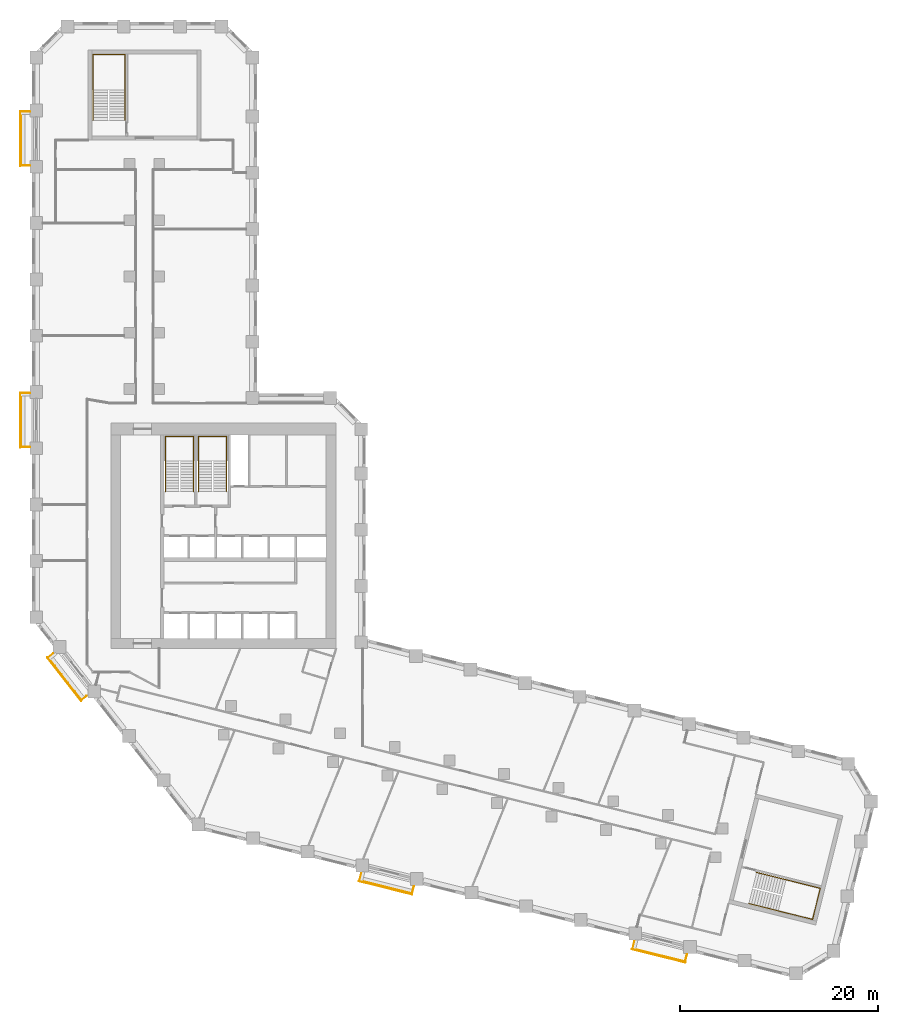
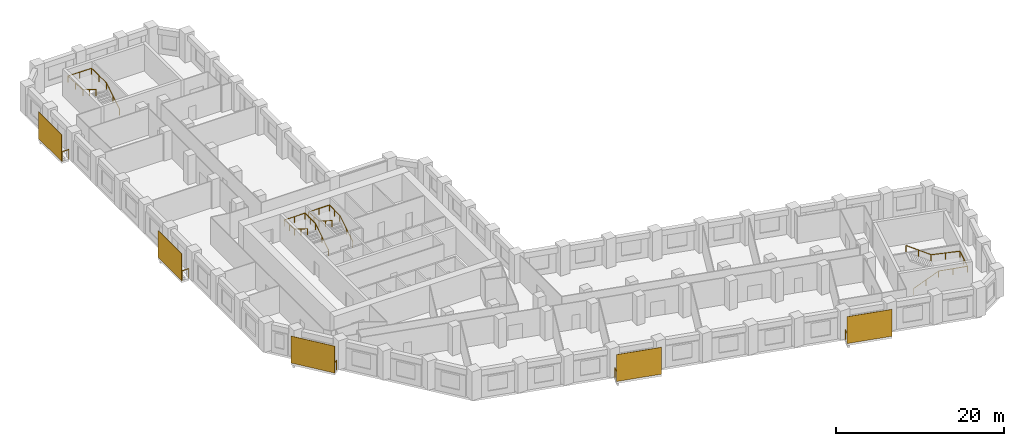
# One storey, part 10 of 10: 9 railings, 5 shading devices.
"""IFC4 building model written with IfcOpenShell, lengths in metres."""

import ifcopenshell
import ifcopenshell.guid

model = None  # the IFC model being written
_history = None  # IfcOwnerHistory: only IFC2X3 demands one
_inside = {}  # id of a spatial element -> (the spatial element, [elements in it])
_under = {}  # id of a project, library or spatial element -> (it, [spatial elements below it])
_declared = {}  # id of a project -> (the project, [libraries it declares])
_typed = {}  # id of a type object -> (the type object, [elements of that type])
_made_of = {}  # id of a material, layer set ... -> (it, [elements and type objects made of it])


def new_model(schema):
    """Start an empty IFC model of exactly this schema.

    Asked for "IFC4X3", IfcOpenShell would pick the latest addendum, in which some entities
    have other attributes; the version numbers below select the first issue.
    IFC2X3 requires an IfcOwnerHistory on every rooted entity: one is made here for all.
    """
    global model, _history
    if schema == "IFC4X3":
        model = ifcopenshell.file(schema_version=(4, 3, 0, 0))
    else:
        model = ifcopenshell.file(schema=schema)
    _inside.clear()
    _under.clear()
    _declared.clear()
    _typed.clear()
    _made_of.clear()
    _history = None
    if model.schema == "IFC2X3":
        org = make("IfcOrganization", Name="unknown")
        user = make(
            "IfcPersonAndOrganization",
            ThePerson=make("IfcPerson", FamilyName="unknown"),
            TheOrganization=org,
        )
        app = make(
            "IfcApplication",
            ApplicationDeveloper=org,
            Version="unknown",
            ApplicationFullName="unknown",
            ApplicationIdentifier="unknown",
        )
        _history = make(
            "IfcOwnerHistory",
            OwningUser=user,
            OwningApplication=app,
            ChangeAction="ADDED",
            CreationDate=0,
        )
    return model


def make(cls, **values):
    """One entity of the class cls with the attributes given. An attribute that is None is left unset."""
    return model.create_entity(
        cls, **{name: value for name, value in values.items() if value is not None}
    )


def rooted(cls, **values):
    """An entity with a GlobalId (a new one), such as an element, a storey or a relation."""
    return make(cls, GlobalId=ifcopenshell.guid.new(), OwnerHistory=_history, **values)


def si_unit(unit_type, name, prefix=None):
    """IfcSIUnit, for example si_unit("LENGTHUNIT", "METRE", prefix="MILLI")."""
    return make("IfcSIUnit", UnitType=unit_type, Prefix=prefix, Name=name)


def assignment(units):
    """IfcUnitAssignment: the units of a project."""
    return None if units is None else make("IfcUnitAssignment", Units=units)


def point(xyz):
    """IfcCartesianPoint."""
    return None if xyz is None else make("IfcCartesianPoint", Coordinates=xyz)


def direction(xyz):
    """IfcDirection."""
    return None if xyz is None else make("IfcDirection", DirectionRatios=xyz)


def frame(location, z_axis=None, x_axis=None):
    """IfcAxis2Placement3D, a coordinate frame: its origin and axes. An axis left out is left unset."""
    return make(
        "IfcAxis2Placement3D",
        Location=point(location),
        Axis=direction(z_axis),
        RefDirection=direction(x_axis),
    )


def frame_2d(location, x_axis=None):
    """IfcAxis2Placement2D, a coordinate frame in the plane: its origin and x axis."""
    return make(
        "IfcAxis2Placement2D", Location=point(location), RefDirection=direction(x_axis)
    )


def origin():
    """The frame at (0, 0, 0) with its axes left unset."""
    return frame((0.0, 0.0, 0.0))


def origin_2d():
    """The frame at (0, 0) in the plane with its x axis left unset."""
    return frame_2d((0.0, 0.0))


def place(relative_to, where):
    """IfcLocalPlacement: puts the frame where relative to a parent placement (None: the world)."""
    return make(
        "IfcLocalPlacement", PlacementRelTo=relative_to, RelativePlacement=where
    )


def context(
    kind, dimensions, precision=None, world=None, true_north=None, identifier=None
):
    """IfcGeometricRepresentationContext, for example the 3D "Model" context."""
    return make(
        "IfcGeometricRepresentationContext",
        ContextIdentifier=identifier,
        ContextType=kind,
        CoordinateSpaceDimension=dimensions,
        Precision=precision,
        WorldCoordinateSystem=world,
        TrueNorth=true_north,
    )


def subcontext(parent, identifier, kind, view, scale=None):
    """IfcGeometricRepresentationSubContext, for example "Body" below "Model"."""
    return make(
        "IfcGeometricRepresentationSubContext",
        ContextIdentifier=identifier,
        ContextType=kind,
        ParentContext=parent,
        TargetScale=scale,
        TargetView=view,
    )


def project(units=None, contexts=None):
    """IfcProject with its units and contexts."""
    return rooted(
        "IfcProject",
        Name="project",
        RepresentationContexts=contexts,
        UnitsInContext=assignment(units),
    )


def spatial(cls, under=None, at=None, **own):
    """A site, building, storey or space (cls), placed at a placement, below another one or the project."""
    s = rooted(cls, ObjectPlacement=at, **own)
    if under is not None:
        _under.setdefault(under.id(), (under, []))[1].append(s)
    return s


def profile(cls, at=None, kind="AREA", **sizes):
    """A parametric profile (cls). Its sizes go by their IFC names, for example OverallWidth=200.0."""
    return make(cls, ProfileType=kind, Position=at, **sizes)


def rectangle(**sizes):
    """IfcRectangleProfileDef."""
    return profile("IfcRectangleProfileDef", **sizes)


def circle(**sizes):
    """IfcCircleProfileDef."""
    return profile("IfcCircleProfileDef", **sizes)


def extrude(swept, where, along, depth):
    """IfcExtrudedAreaSolid: the profile swept, set in the frame where, extruded along a direction by depth."""
    return make(
        "IfcExtrudedAreaSolid",
        SweptArea=swept,
        Position=where,
        ExtrudedDirection=direction(along),
        Depth=depth,
    )


def shape(context_of_items, identifier, shape_type, items):
    """IfcShapeRepresentation: the items that make up one representation, for example the "Body"."""
    return make(
        "IfcShapeRepresentation",
        ContextOfItems=context_of_items,
        RepresentationIdentifier=identifier,
        RepresentationType=shape_type,
        Items=items,
    )


def material(Name=None, Category=None):
    """IfcMaterial."""
    return make("IfcMaterial", Name=Name, Category=Category)


def layer(
    of_material, thickness, ventilated=None, Name=None, Category=None, Priority=None
):
    """IfcMaterialLayer: one layer of a wall or slab, of a material (None: an air gap)."""
    return make(
        "IfcMaterialLayer",
        Material=of_material,
        LayerThickness=thickness,
        IsVentilated=ventilated,
        Name=Name,
        Category=Category,
        Priority=Priority,
    )


def layer_set(layers, Name=None):
    """IfcMaterialLayerSet."""
    return make("IfcMaterialLayerSet", MaterialLayers=layers, LayerSetName=Name)


def made_of(thing, what):
    """Note that an element or type object is made of a material, layer set ...; save() writes the relation."""
    if what is not None:
        _made_of.setdefault(what.id(), (what, []))[1].append(thing)
    return thing


def type_object(cls, material=None, **own):
    """A type object (cls), such as IfcWallType, which elements share."""
    return made_of(rooted(cls, **own), material)


def element(
    cls,
    number,
    at=None,
    inside=None,
    cuts=None,
    type_object=None,
    material=None,
    context=None,
    identifier="Body",
    shape_type=None,
    held_by="IfcProductDefinitionShape",
    body=None,
    shapes=None,
    **own,
):
    """One element of the class cls, such as IfcWall. Its Tag is "e" and its number.

    at: its placement. inside: the storey or other place that contains it. cuts: it is an
    opening in that element (IfcRelVoidsElement). A single representation is given by context,
    identifier, shape_type and body (its items); several are given by shapes. held_by: the class
    of the entity that holds the representations. save() writes the other relations.
    """
    e = rooted(cls, Tag="e%d" % number, ObjectPlacement=at, **own)
    if body is not None:
        shapes = [shape(context, identifier, shape_type, body)]
    if shapes is not None:
        e.Representation = make(held_by, Representations=shapes)
    if inside is not None:
        _inside.setdefault(inside.id(), (inside, []))[1].append(e)
    if cuts is not None:
        rooted(
            "IfcRelVoidsElement", RelatingBuildingElement=cuts, RelatedOpeningElement=e
        )
    if type_object is not None:
        _typed.setdefault(type_object.id(), (type_object, []))[1].append(e)
    return made_of(e, material)


def aggregate(whole, parts):
    """IfcRelAggregates: a whole, such as a stair, and the parts it consists of."""
    return rooted("IfcRelAggregates", RelatingObject=whole, RelatedObjects=parts)


def save(model, path):
    """Write the relations noted so far, then the file.

    IfcRelAggregates (storeys below a building ...), IfcRelContainedInSpatialStructure (elements
    in a storey), IfcRelDefinesByType, IfcRelAssociatesMaterial and IfcRelDeclares: one each for
    every whole, place, type object, material and project.
    """
    for whole, parts in _under.values():
        aggregate(whole, parts)
    for where, things in _inside.values():
        rooted(
            "IfcRelContainedInSpatialStructure",
            RelatedElements=things,
            RelatingStructure=where,
        )
    for kind, things in _typed.values():
        rooted("IfcRelDefinesByType", RelatedObjects=things, RelatingType=kind)
    for what, things in _made_of.values():
        rooted("IfcRelAssociatesMaterial", RelatedObjects=things, RelatingMaterial=what)
    for by, libraries in _declared.values():
        rooted("IfcRelDeclares", RelatingContext=by, RelatedDefinitions=libraries)
    model.write(path)


model = new_model("IFC4")

# Units and contexts
model_context = context("Model", 3, precision=1e-05, world=origin(), true_north=direction((0.0, 1.0)))
body_context = subcontext(model_context, "Body", "Model", "MODEL_VIEW")
ifc_project = project(units=[si_unit("LENGTHUNIT", "METRE"), si_unit("AREAUNIT", "SQUARE_METRE"), si_unit("VOLUMEUNIT", "CUBIC_METRE"), si_unit("PLANEANGLEUNIT", "RADIAN"), si_unit("MASSUNIT", "GRAM", prefix="KILO")], contexts=[model_context])

# Site, building, storey
site_placement = place(None, origin())
site = spatial("IfcSite", under=ifc_project, at=site_placement, CompositionType="ELEMENT")
building_placement = place(site_placement, origin())
building = spatial("IfcBuilding", under=site, at=building_placement, Name="Meshkara Civic Tower", CompositionType="ELEMENT")
storey_placement = place(building_placement, frame((0.0, 0.0, 126.60009765625)))
storey = spatial("IfcBuildingStorey", under=building, at=storey_placement, Name="L28", CompositionType="ELEMENT", Elevation=126.60009765625)

# Railings
ifc_material_1 = material(Name="Steel S355", Category="steel")
railing_type_1 = type_object("IfcRailingType", Name="BALUSTRADE GUARD 1400", PredefinedType="BALUSTRADE", material=ifc_material_1)
for number, where, name in (
    (1, (-0.199951171875, 68.43505859375, 0.0), "Balcony guard"),
    (2, (-0.199951171875, 39.93505859375, 0.0), "Balcony guard"),
):
    element("IfcRailing", number, at=place(storey_placement, frame(where)), inside=storey, type_object=railing_type_1, Name=name, PredefinedType="BALUSTRADE", context=body_context, shape_type="SweptSolid", body=[
        extrude(circle(Radius=0.02392578125, at=origin_2d()), frame((0.0, 0.0, 1.3759765625), z_axis=(-1.0, 0.0, 0.0), x_axis=(0.0, -1.0, 0.0)), (0.0, 0.0, 1.0), 0.91015625),
        extrude(circle(Radius=0.02392578125, at=origin_2d()), frame((-0.91015625, 0.0, 1.3759765625), z_axis=(0.0, -1.0, 0.0), x_axis=(1.0, 0.0, 0.0)), (0.0, 0.0, 1.0), 5.4599609375),
        extrude(circle(Radius=0.02392578125, at=origin_2d()), frame((-0.91015625, -5.4599609375, 1.3759765625), z_axis=(1.0, 0.0, 0.0), x_axis=(0.0, 1.0, 0.0)), (0.0, 0.0, 1.0), 0.91015625),
        extrude(circle(Radius=0.02099609375, at=origin_2d()), origin(), (0.0, 0.0, 1.0), 1.351806640625),
        extrude(circle(Radius=0.02099609375, at=origin_2d()), frame((-0.91015625, 0.0, 0.0)), (0.0, 0.0, 1.0), 1.351806640625),
        extrude(circle(Radius=0.02099609375, at=origin_2d()), frame((-0.91015625, -1.092041015625, 0.0)), (0.0, 0.0, 1.0), 1.351806640625),
        extrude(circle(Radius=0.02099609375, at=origin_2d()), frame((-0.91015625, -2.18408203125, 0.0)), (0.0, 0.0, 1.0), 1.351806640625),
        extrude(circle(Radius=0.02099609375, at=origin_2d()), frame((-0.91015625, -3.27587890625, 0.0)), (0.0, 0.0, 1.0), 1.351806640625),
        extrude(circle(Radius=0.02099609375, at=origin_2d()), frame((-0.91015625, -4.367919921875, 0.0)), (0.0, 0.0, 1.0), 1.351806640625),
        extrude(circle(Radius=0.02099609375, at=origin_2d()), frame((-0.91015625, -5.4599609375, 0.0)), (0.0, 0.0, 1.0), 1.351806640625),
        extrude(circle(Radius=0.02099609375, at=origin_2d()), frame((0.0, -5.4599609375, 0.0)), (0.0, 0.0, 1.0), 1.351806640625),
    ])
railing_1_placement = place(storey_placement, frame((2.1689453125, 13.572998046875, 0.0)))
element("IfcRailing", 3, at=railing_1_placement, inside=storey, type_object=railing_type_1, Name="Balcony guard", PredefinedType="BALUSTRADE", context=body_context, shape_type="SweptSolid", body=[
    extrude(circle(Radius=0.02392578125, at=origin_2d()), frame((0.0, 0.0, 1.3759765625), z_axis=(-0.787664106231, -0.616104906453, 0.0), x_axis=(0.616104906453, -0.787664106231, 0.0)), (0.0, 0.0, 1.0), 0.6474609375),
    extrude(circle(Radius=0.02392578125, at=origin_2d()), frame((-0.510009765625, -0.39892578125, 1.3759765625), z_axis=(0.615573755741, -0.788079279795, 0.0), x_axis=(0.788079279795, 0.615573755741, 0.0)), (0.0, 0.0, 1.0), 5.460205078125),
    extrude(circle(Radius=0.02392578125, at=origin_2d()), frame((2.85107421875, -4.701904296875, 1.3759765625), z_axis=(0.788235582762, 0.615373598774, 0.0), x_axis=(-0.615373598774, 0.788235582762, 0.0)), (0.0, 0.0, 1.0), 0.648193359375),
    extrude(circle(Radius=0.02099609375, at=origin_2d()), origin(), (0.0, 0.0, 1.0), 1.351806640625),
    extrude(circle(Radius=0.02099609375, at=origin_2d()), frame((-0.510009765625, -0.39892578125, 0.0)), (0.0, 0.0, 1.0), 1.351806640625),
    extrude(circle(Radius=0.02099609375, at=origin_2d()), frame((0.162109375, -1.259521484375, 0.0)), (0.0, 0.0, 1.0), 1.351806640625),
    extrude(circle(Radius=0.02099609375, at=origin_2d()), frame((0.83447265625, -2.1201171875, 0.0)), (0.0, 0.0, 1.0), 1.351806640625),
    extrude(circle(Radius=0.02099609375, at=origin_2d()), frame((1.506591796875, -2.980712890625, 0.0)), (0.0, 0.0, 1.0), 1.351806640625),
    extrude(circle(Radius=0.02099609375, at=origin_2d()), frame((2.178955078125, -3.84130859375, 0.0)), (0.0, 0.0, 1.0), 1.351806640625),
    extrude(circle(Radius=0.02099609375, at=origin_2d()), frame((2.85107421875, -4.701904296875, 0.0)), (0.0, 0.0, 1.0), 1.351806640625),
    extrude(circle(Radius=0.02099609375, at=origin_2d()), frame((3.362060546875, -4.302978515625, 0.0)), (0.0, 0.0, 1.0), 1.351806640625),
])
railing_2_placement = place(storey_placement, frame((33.368896484375, -8.66796875, 0.0)))
element("IfcRailing", 4, at=railing_2_placement, inside=storey, type_object=railing_type_1, Name="Balcony guard", PredefinedType="BALUSTRADE", context=body_context, shape_type="SweptSolid", body=[
    extrude(circle(Radius=0.02392578125, at=origin_2d()), frame((0.0, 0.0, 1.3759765625), z_axis=(-0.242237978263, -0.970216863329, 0.0), x_axis=(0.970216863329, -0.242237978263, 0.0)), (0.0, 0.0, 1.0), 0.77197265625),
    extrude(circle(Radius=0.02392578125, at=origin_2d()), frame((-0.18701171875, -0.7490234375, 1.3759765625), z_axis=(0.970292231073, -0.24193591366, 0.0), x_axis=(0.24193591366, 0.970292231073, 0.0)), (0.0, 0.0, 1.0), 5.460205078125),
    extrude(circle(Radius=0.02392578125, at=origin_2d()), frame((5.111083984375, -2.070068359375, 1.3759765625), z_axis=(0.242237978263, 0.970216863329, 0.0), x_axis=(-0.970216863329, 0.242237978263, 0.0)), (0.0, 0.0, 1.0), 0.77197265625),
    extrude(circle(Radius=0.02099609375, at=origin_2d()), origin(), (0.0, 0.0, 1.0), 1.351806640625),
    extrude(circle(Radius=0.02099609375, at=origin_2d()), frame((-0.18701171875, -0.7490234375, 0.0)), (0.0, 0.0, 1.0), 1.351806640625),
    extrude(circle(Radius=0.02099609375, at=origin_2d()), frame((0.87255859375, -1.01318359375, 0.0)), (0.0, 0.0, 1.0), 1.351806640625),
    extrude(circle(Radius=0.02099609375, at=origin_2d()), frame((1.93212890625, -1.27734375, 0.0)), (0.0, 0.0, 1.0), 1.351806640625),
    extrude(circle(Radius=0.02099609375, at=origin_2d()), frame((2.991943359375, -1.541748046875, 0.0)), (0.0, 0.0, 1.0), 1.351806640625),
    extrude(circle(Radius=0.02099609375, at=origin_2d()), frame((4.051513671875, -1.805908203125, 0.0)), (0.0, 0.0, 1.0), 1.351806640625),
    extrude(circle(Radius=0.02099609375, at=origin_2d()), frame((5.111083984375, -2.070068359375, 0.0)), (0.0, 0.0, 1.0), 1.351806640625),
    extrude(circle(Radius=0.02099609375, at=origin_2d()), frame((5.298095703125, -1.321044921875, 0.0)), (0.0, 0.0, 1.0), 1.351806640625),
])
railing_3_placement = place(storey_placement, frame((61.02294921875, -15.56298828125, 0.0)))
element("IfcRailing", 5, at=railing_3_placement, inside=storey, type_object=railing_type_1, Name="Balcony guard", PredefinedType="BALUSTRADE", context=body_context, shape_type="SweptSolid", body=[
    extrude(circle(Radius=0.02392578125, at=origin_2d()), frame((0.0, 0.0, 1.3759765625), z_axis=(-0.242237978263, -0.970216863329, 0.0), x_axis=(0.970216863329, -0.242237978263, 0.0)), (0.0, 0.0, 1.0), 0.77197265625),
    extrude(circle(Radius=0.02392578125, at=origin_2d()), frame((-0.18701171875, -0.7490234375, 1.3759765625), z_axis=(0.970323745377, -0.241809489388, 0.0), x_axis=(0.241809489388, 0.970323745377, 0.0)), (0.0, 0.0, 1.0), 5.459228515625),
    extrude(circle(Radius=0.02392578125, at=origin_2d()), frame((5.110107421875, -2.069091796875, 1.3759765625), z_axis=(0.242237978263, 0.970216863329, 0.0), x_axis=(-0.970216863329, 0.242237978263, 0.0)), (0.0, 0.0, 1.0), 0.77197265625),
    extrude(circle(Radius=0.02099609375, at=origin_2d()), origin(), (0.0, 0.0, 1.0), 1.351806640625),
    extrude(circle(Radius=0.02099609375, at=origin_2d()), frame((-0.18701171875, -0.7490234375, 0.0)), (0.0, 0.0, 1.0), 1.351806640625),
    extrude(circle(Radius=0.02099609375, at=origin_2d()), frame((0.872314453125, -1.012939453125, 0.0)), (0.0, 0.0, 1.0), 1.351806640625),
    extrude(circle(Radius=0.02099609375, at=origin_2d()), frame((1.931884765625, -1.277099609375, 0.0)), (0.0, 0.0, 1.0), 1.351806640625),
    extrude(circle(Radius=0.02099609375, at=origin_2d()), frame((2.9912109375, -1.541015625, 0.0)), (0.0, 0.0, 1.0), 1.351806640625),
    extrude(circle(Radius=0.02099609375, at=origin_2d()), frame((4.05078125, -1.80517578125, 0.0)), (0.0, 0.0, 1.0), 1.351806640625),
    extrude(circle(Radius=0.02099609375, at=origin_2d()), frame((5.110107421875, -2.069091796875, 0.0)), (0.0, 0.0, 1.0), 1.351806640625),
    extrude(circle(Radius=0.02099609375, at=origin_2d()), frame((5.297119140625, -1.320068359375, 0.0)), (0.0, 0.0, 1.0), 1.351806640625),
])

# Shading devices
ifc_material_2 = material(Name="Perforated bronze anodised aluminium sheet", Category="aluminium")
ifc_layer = layer(ifc_material_2, 0.0400390625)
ifc_layer_set = layer_set([ifc_layer], Name="PERFORATED BRONZE SCREEN")
shading_device_type = type_object("IfcShadingDeviceType", Name="PERFORATED BRONZE SCREEN", PredefinedType="USERDEFINED", material=ifc_layer_set)
for number, where, z_axis, x_axis, name in (
    (6, (-1.179931640625, 65.705078125, 0.0), (0.0, 0.0, 1.0), (0.0, -1.0, 0.0), "Balcony screen"),
    (7, (-1.179931640625, 37.205078125, 0.0), (0.0, 0.0, 1.0), (0.0, -1.0, 0.0), "Balcony screen"),
    (8, (3.283935546875, 10.97998046875, 0.0), (0.0, 0.0, 1.0), (0.615661475326, -0.788010753607, 0.0), "Balcony screen"),
    (9, (35.81396484375, -10.14599609375, 0.0), (0.0, 0.0, 1.0), (0.970299948462, -0.241904960708, 0.0), "Balcony screen"),
):
    element("IfcShadingDevice", number, at=place(storey_placement, frame(where, z_axis=z_axis, x_axis=x_axis)), inside=storey, type_object=shading_device_type, Name=name, ObjectType="SCREEN", PredefinedType="USERDEFINED", context=body_context, shape_type="SweptSolid", body=[
        extrude(rectangle(XDim=5.580078125, YDim=0.0400390625, at=origin_2d()), origin(), (0.0, 0.0, 1.0), 3.89990234375),
    ])
shading_device_placement = place(storey_placement, frame((63.468017578125, -17.0400390625, 0.0), z_axis=(0.0, 0.0, 1.0), x_axis=(0.970299948462, -0.241904960708, 0.0)))
element("IfcShadingDevice", 10, at=shading_device_placement, inside=storey, type_object=shading_device_type, Name="Balcony screen", ObjectType="SCREEN", PredefinedType="USERDEFINED", context=body_context, shape_type="SweptSolid", body=[
    extrude(rectangle(XDim=5.5791015625, YDim=0.0400390625, at=origin_2d()), origin(), (0.0, 0.0, 1.0), 3.89990234375),
])

# Railings
ifc_material_3 = material(Name="Steel handrail", Category="steel")
railing_type_2 = type_object("IfcRailingType", Name="Stair handrail 900", PredefinedType="HANDRAIL", material=ifc_material_3)
railing_4_placement = place(storey_placement, frame((16.375, 30.0, 0.1748046875)))
element("IfcRailing", 11, at=railing_4_placement, inside=storey, type_object=railing_type_2, Name="L28 ST1 stair handrail 1", PredefinedType="HANDRAIL", context=body_context, shape_type="SweptSolid", body=[
    extrude(circle(Radius=0.02392578125, at=origin_2d()), frame((0.0, 0.0, 0.8759765625), z_axis=(0.0, 0.847998304005, 0.529998940003), x_axis=(-1.0, 0.0, 0.0)), (0.0, 0.0, 1.0), 3.632080078125),
    extrude(circle(Radius=0.02392578125, at=origin_2d()), frame((0.0, 3.080078125, 2.80078125), z_axis=(0.0, 1.0, 0.0), x_axis=(-1.0, 0.0, 0.0)), (0.0, 0.0, 1.0), 2.469970703125),
    extrude(circle(Radius=0.02392578125, at=origin_2d()), frame((0.0, 5.550048828125, 2.80078125), z_axis=(-1.0, 0.0, 0.0), x_axis=(0.0, -1.0, 0.0)), (0.0, 0.0, 1.0), 2.85009765625),
    extrude(circle(Radius=0.02392578125, at=origin_2d()), frame((-2.85009765625, 5.550048828125, 2.80078125), z_axis=(0.0, -0.997498084828, 0.070693498747), x_axis=(1.0, 0.0, 0.0)), (0.0, 0.0, 1.0), 2.47607421875),
    extrude(circle(Radius=0.02392578125, at=origin_2d()), frame((-2.85009765625, 3.080078125, 2.97607421875), z_axis=(0.0, -0.847998304005, 0.529998940003), x_axis=(1.0, 0.0, 0.0)), (0.0, 0.0, 1.0), 3.632080078125),
    extrude(circle(Radius=0.02099609375, at=origin_2d()), origin(), (0.0, 0.0, 1.0), 0.851806640625),
    extrude(circle(Radius=0.02099609375, at=origin_2d()), frame((0.0, 1.5400390625, 0.96240234375)), (0.0, 0.0, 1.0), 0.851806640625),
    extrude(circle(Radius=0.02099609375, at=origin_2d()), frame((0.0, 3.080078125, 1.925048828125)), (0.0, 0.0, 1.0), 0.851806640625),
    extrude(circle(Radius=0.02099609375, at=origin_2d()), frame((0.0, 4.31494140625, 1.925048828125)), (0.0, 0.0, 1.0), 0.851806640625),
    extrude(circle(Radius=0.02099609375, at=origin_2d()), frame((0.0, 5.550048828125, 1.925048828125)), (0.0, 0.0, 1.0), 0.851806640625),
    extrude(circle(Radius=0.02099609375, at=origin_2d()), frame((-1.425048828125, 5.550048828125, 1.925048828125)), (0.0, 0.0, 1.0), 0.851806640625),
    extrude(circle(Radius=0.02099609375, at=origin_2d()), frame((-2.85009765625, 5.550048828125, 1.925048828125)), (0.0, 0.0, 1.0), 0.851806640625),
    extrude(circle(Radius=0.02099609375, at=origin_2d()), frame((-2.85009765625, 4.31494140625, 2.0126953125)), (0.0, 0.0, 1.0), 0.851806640625),
    extrude(circle(Radius=0.02099609375, at=origin_2d()), frame((-2.85009765625, 3.080078125, 2.10009765625)), (0.0, 0.0, 1.0), 0.851806640625),
    extrude(circle(Radius=0.02099609375, at=origin_2d()), frame((-2.85009765625, 1.5400390625, 3.0625)), (0.0, 0.0, 1.0), 0.851806640625),
    extrude(circle(Radius=0.02099609375, at=origin_2d()), frame((-2.85009765625, 0.0, 4.025146484375)), (0.0, 0.0, 1.0), 0.851806640625),
])
railing_5_placement = place(storey_placement, frame((19.72509765625, 30.0, 0.1748046875)))
element("IfcRailing", 12, at=railing_5_placement, inside=storey, type_object=railing_type_2, Name="L28 ST2 stair handrail 1", PredefinedType="HANDRAIL", context=body_context, shape_type="SweptSolid", body=[
    extrude(circle(Radius=0.02392578125, at=origin_2d()), frame((0.0, 0.0, 0.8759765625), z_axis=(0.0, 0.847998304005, 0.529998940003), x_axis=(-1.0, 0.0, 0.0)), (0.0, 0.0, 1.0), 3.632080078125),
    extrude(circle(Radius=0.02392578125, at=origin_2d()), frame((0.0, 3.080078125, 2.80078125), z_axis=(0.0, 1.0, 0.0), x_axis=(-1.0, 0.0, 0.0)), (0.0, 0.0, 1.0), 2.469970703125),
    extrude(circle(Radius=0.02392578125, at=origin_2d()), frame((0.0, 5.550048828125, 2.80078125), z_axis=(-1.0, 0.0, 0.0), x_axis=(0.0, -1.0, 0.0)), (0.0, 0.0, 1.0), 2.85009765625),
    extrude(circle(Radius=0.02392578125, at=origin_2d()), frame((-2.85009765625, 5.550048828125, 2.80078125), z_axis=(0.0, -0.997498084828, 0.070693498747), x_axis=(1.0, 0.0, 0.0)), (0.0, 0.0, 1.0), 2.47607421875),
    extrude(circle(Radius=0.02392578125, at=origin_2d()), frame((-2.85009765625, 3.080078125, 2.97607421875), z_axis=(0.0, -0.847998304005, 0.529998940003), x_axis=(1.0, 0.0, 0.0)), (0.0, 0.0, 1.0), 3.632080078125),
    extrude(circle(Radius=0.02099609375, at=origin_2d()), origin(), (0.0, 0.0, 1.0), 0.851806640625),
    extrude(circle(Radius=0.02099609375, at=origin_2d()), frame((0.0, 1.5400390625, 0.96240234375)), (0.0, 0.0, 1.0), 0.851806640625),
    extrude(circle(Radius=0.02099609375, at=origin_2d()), frame((0.0, 3.080078125, 1.925048828125)), (0.0, 0.0, 1.0), 0.851806640625),
    extrude(circle(Radius=0.02099609375, at=origin_2d()), frame((0.0, 4.31494140625, 1.925048828125)), (0.0, 0.0, 1.0), 0.851806640625),
    extrude(circle(Radius=0.02099609375, at=origin_2d()), frame((0.0, 5.550048828125, 1.925048828125)), (0.0, 0.0, 1.0), 0.851806640625),
    extrude(circle(Radius=0.02099609375, at=origin_2d()), frame((-1.425048828125, 5.550048828125, 1.925048828125)), (0.0, 0.0, 1.0), 0.851806640625),
    extrude(circle(Radius=0.02099609375, at=origin_2d()), frame((-2.85009765625, 5.550048828125, 1.925048828125)), (0.0, 0.0, 1.0), 0.851806640625),
    extrude(circle(Radius=0.02099609375, at=origin_2d()), frame((-2.85009765625, 4.31494140625, 2.0126953125)), (0.0, 0.0, 1.0), 0.851806640625),
    extrude(circle(Radius=0.02099609375, at=origin_2d()), frame((-2.85009765625, 3.080078125, 2.10009765625)), (0.0, 0.0, 1.0), 0.851806640625),
    extrude(circle(Radius=0.02099609375, at=origin_2d()), frame((-2.85009765625, 1.5400390625, 3.0625)), (0.0, 0.0, 1.0), 0.851806640625),
    extrude(circle(Radius=0.02099609375, at=origin_2d()), frame((-2.85009765625, 0.0, 4.025146484375)), (0.0, 0.0, 1.0), 0.851806640625),
])
railing_6_placement = place(storey_placement, frame((9.425048828125, 67.570068359375, 0.1748046875)))
element("IfcRailing", 13, at=railing_6_placement, inside=storey, type_object=railing_type_2, Name="L28 ESA2 stair handrail 1", PredefinedType="HANDRAIL", context=body_context, shape_type="SweptSolid", body=[
    extrude(circle(Radius=0.02392578125, at=origin_2d()), frame((0.0, 0.0, 0.8759765625), z_axis=(0.0, 0.847979421464, 0.530029150871), x_axis=(-1.0, 0.0, 0.0)), (0.0, 0.0, 1.0), 3.632080078125),
    extrude(circle(Radius=0.02392578125, at=origin_2d()), frame((0.0, 3.079833984375, 2.80078125), z_axis=(0.0, 1.0, 0.0), x_axis=(-1.0, 0.0, 0.0)), (0.0, 0.0, 1.0), 3.570068359375),
    extrude(circle(Radius=0.02392578125, at=origin_2d()), frame((0.0, 6.64990234375, 2.80078125), z_axis=(-1.0, 0.0, 0.0), x_axis=(0.0, -1.0, 0.0)), (0.0, 0.0, 1.0), 3.25),
    extrude(circle(Radius=0.02392578125, at=origin_2d()), frame((-3.25, 6.64990234375, 2.80078125), z_axis=(0.0, -0.998800077689, 0.048973511297), x_axis=(1.0, 0.0, 0.0)), (0.0, 0.0, 1.0), 3.574462890625),
    extrude(circle(Radius=0.02392578125, at=origin_2d()), frame((-3.25, 3.079833984375, 2.97607421875), z_axis=(0.0, -0.847979421464, 0.530029150871), x_axis=(1.0, 0.0, 0.0)), (0.0, 0.0, 1.0), 3.632080078125),
    extrude(circle(Radius=0.02099609375, at=origin_2d()), origin(), (0.0, 0.0, 1.0), 0.851806640625),
    extrude(circle(Radius=0.02099609375, at=origin_2d()), frame((0.0, 1.5400390625, 0.96240234375)), (0.0, 0.0, 1.0), 0.851806640625),
    extrude(circle(Radius=0.02099609375, at=origin_2d()), frame((0.0, 3.079833984375, 1.925048828125)), (0.0, 0.0, 1.0), 0.851806640625),
    extrude(circle(Radius=0.02099609375, at=origin_2d()), frame((0.0, 4.86474609375, 1.925048828125)), (0.0, 0.0, 1.0), 0.851806640625),
    extrude(circle(Radius=0.02099609375, at=origin_2d()), frame((0.0, 6.64990234375, 1.925048828125)), (0.0, 0.0, 1.0), 0.851806640625),
    extrude(circle(Radius=0.02099609375, at=origin_2d()), frame((-1.625, 6.64990234375, 1.925048828125)), (0.0, 0.0, 1.0), 0.851806640625),
    extrude(circle(Radius=0.02099609375, at=origin_2d()), frame((-3.25, 6.64990234375, 1.925048828125)), (0.0, 0.0, 1.0), 0.851806640625),
    extrude(circle(Radius=0.02099609375, at=origin_2d()), frame((-3.25, 4.86474609375, 2.0126953125)), (0.0, 0.0, 1.0), 0.851806640625),
    extrude(circle(Radius=0.02099609375, at=origin_2d()), frame((-3.25, 3.079833984375, 2.10009765625)), (0.0, 0.0, 1.0), 0.851806640625),
    extrude(circle(Radius=0.02099609375, at=origin_2d()), frame((-3.25, 1.5400390625, 3.0625)), (0.0, 0.0, 1.0), 0.851806640625),
    extrude(circle(Radius=0.02099609375, at=origin_2d()), frame((-3.25, 0.0, 4.025146484375)), (0.0, 0.0, 1.0), 0.851806640625),
])
railing_7_placement = place(storey_placement, frame((72.587158203125, -11.73388671875, 0.1748046875)))
element("IfcRailing", 14, at=railing_7_placement, inside=storey, type_object=railing_type_2, Name="L28 ESB2 stair handrail 1", PredefinedType="HANDRAIL", context=body_context, shape_type="SweptSolid", body=[
    extrude(circle(Radius=0.02392578125, at=origin_2d()), frame((0.0, 0.0, 0.8759765625), z_axis=(0.82276025377, -0.205286749593, 0.530021617727), x_axis=(0.242087961707, 0.97025430625, 0.0)), (0.0, 0.0, 1.0), 3.632080078125),
    extrude(circle(Radius=0.02392578125, at=origin_2d()), frame((2.98828125, -0.74560546875, 2.80078125), z_axis=(0.97025503065, -0.242085058395, 0.0), x_axis=(0.242085058395, 0.97025503065, 0.0)), (0.0, 0.0, 1.0), 3.570068359375),
    extrude(circle(Radius=0.02392578125, at=origin_2d()), frame((6.4521484375, -1.60986328125, 2.80078125), z_axis=(0.242040676986, 0.970266103027, 0.0), x_axis=(-0.970266103027, 0.242040676986, 0.0)), (0.0, 0.0, 1.0), 3.25),
    extrude(circle(Radius=0.02392578125, at=origin_2d()), frame((7.23876953125, 1.54345703125, 2.80078125), z_axis=(-0.969090793551, 0.241794573525, 0.048973646672), x_axis=(-0.242085058395, -0.97025503065, 0.0)), (0.0, 0.0, 1.0), 3.574462890625),
    extrude(circle(Radius=0.02392578125, at=origin_2d()), frame((3.77490234375, 2.40771484375, 2.97607421875), z_axis=(-0.82276025377, 0.205286749593, 0.530021617727), x_axis=(-0.242087961707, -0.97025430625, 0.0)), (0.0, 0.0, 1.0), 3.632080078125),
    extrude(circle(Radius=0.02099609375, at=origin_2d()), origin(), (0.0, 0.0, 1.0), 0.851806640625),
    extrude(circle(Radius=0.02099609375, at=origin_2d()), frame((1.494140625, -0.372802734375, 0.96240234375)), (0.0, 0.0, 1.0), 0.851806640625),
    extrude(circle(Radius=0.02099609375, at=origin_2d()), frame((2.98828125, -0.74560546875, 1.925048828125)), (0.0, 0.0, 1.0), 0.851806640625),
    extrude(circle(Radius=0.02099609375, at=origin_2d()), frame((4.72021484375, -1.177734375, 1.925048828125)), (0.0, 0.0, 1.0), 0.851806640625),
    extrude(circle(Radius=0.02099609375, at=origin_2d()), frame((6.4521484375, -1.60986328125, 1.925048828125)), (0.0, 0.0, 1.0), 0.851806640625),
    extrude(circle(Radius=0.02099609375, at=origin_2d()), frame((6.845458984375, -0.033203125, 1.925048828125)), (0.0, 0.0, 1.0), 0.851806640625),
    extrude(circle(Radius=0.02099609375, at=origin_2d()), frame((7.23876953125, 1.54345703125, 1.925048828125)), (0.0, 0.0, 1.0), 0.851806640625),
    extrude(circle(Radius=0.02099609375, at=origin_2d()), frame((5.5068359375, 1.9755859375, 2.0126953125)), (0.0, 0.0, 1.0), 0.851806640625),
    extrude(circle(Radius=0.02099609375, at=origin_2d()), frame((3.77490234375, 2.40771484375, 2.10009765625)), (0.0, 0.0, 1.0), 0.851806640625),
    extrude(circle(Radius=0.02099609375, at=origin_2d()), frame((2.28076171875, 2.780517578125, 3.0625)), (0.0, 0.0, 1.0), 0.851806640625),
    extrude(circle(Radius=0.02099609375, at=origin_2d()), frame((0.78662109375, 3.1533203125, 4.025146484375)), (0.0, 0.0, 1.0), 0.851806640625),
])

save(model, "model.ifc")
